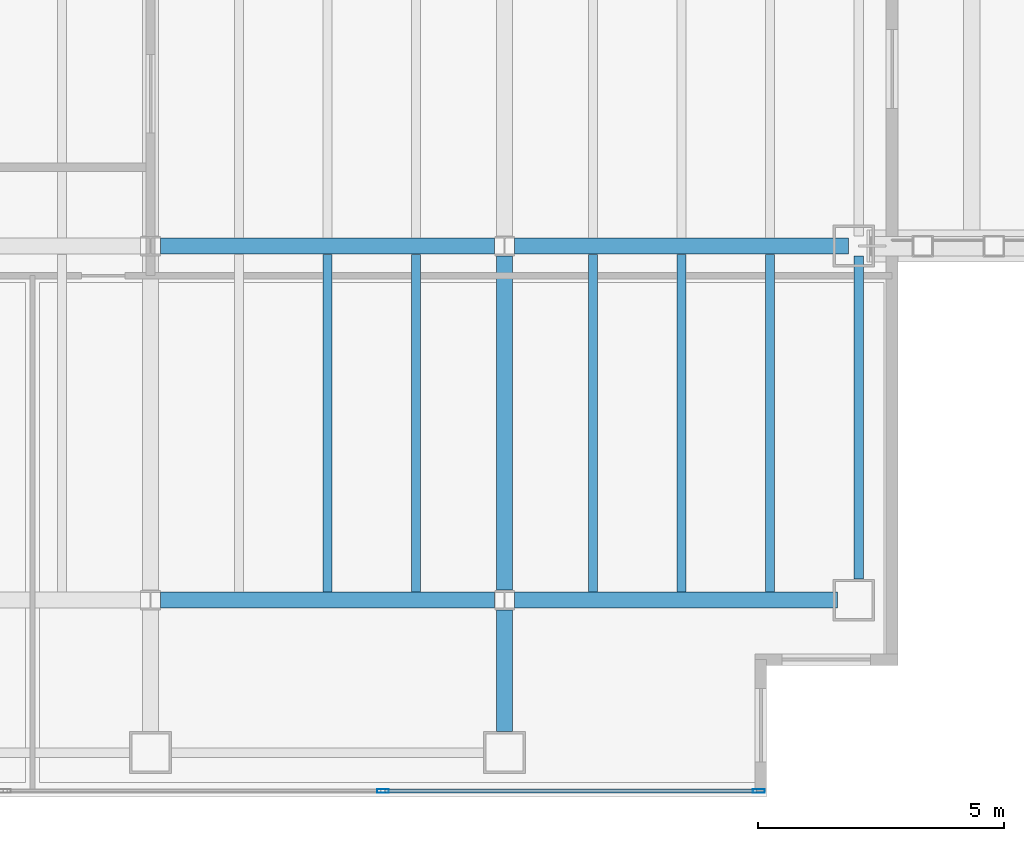
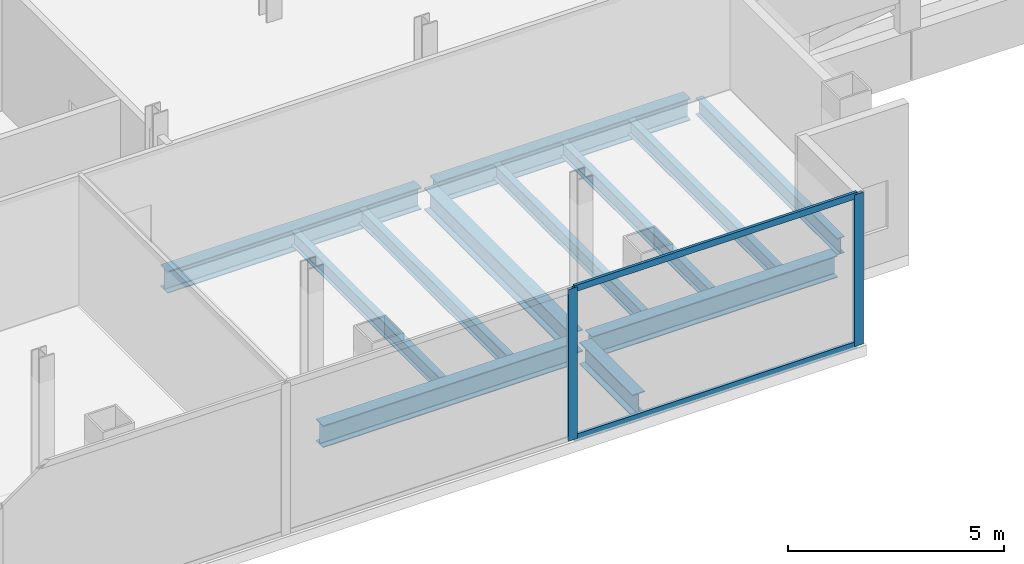
# One storey, part 8 of 20: 12 beams, 4 members, 1 element without a shape of its own.
"""IFC4 building model written with IfcOpenShell, lengths in metres."""

from ifc_helpers import new_model, si_unit, direction, frame, origin, origin_2d, place, context, subcontext, project, spatial, hollow_rectangle, i_section, extrude, material, material_profile, profile_set, type_object, element, aggregate, save


model = new_model("IFC4")

# Units and contexts
model_context = context("Model", 3, precision=1e-05, world=origin(), true_north=direction((0.0, 1.0)))
body_context = subcontext(model_context, "Body", "Model", "MODEL_VIEW")
ifc_project = project(units=[si_unit("LENGTHUNIT", "METRE"), si_unit("AREAUNIT", "SQUARE_METRE"), si_unit("VOLUMEUNIT", "CUBIC_METRE"), si_unit("PLANEANGLEUNIT", "RADIAN"), si_unit("MASSUNIT", "GRAM", prefix="KILO")], contexts=[model_context])

# Site, building, storey
site_placement = place(None, origin())
site = spatial("IfcSite", under=ifc_project, at=site_placement, CompositionType="ELEMENT")
building_placement = place(site_placement, origin())
building = spatial("IfcBuilding", under=site, at=building_placement, Name="Cobrela Telecom Tower", CompositionType="ELEMENT")
storey_placement = place(building_placement, frame((0.0, 0.0, 168.699951171875)))
storey = spatial("IfcBuildingStorey", under=building, at=storey_placement, Name="L42", CompositionType="ELEMENT", Elevation=168.699951171875)

# Beams
ifc_material_1 = material(Name="Steel ASTM A992 Grade 50", Category="steel")
ifc_material_profile_1 = material_profile(ifc_material_1, i_section(OverallWidth=0.327880859375, OverallDepth=0.6220703125, WebThickness=0.015380859375, FlangeThickness=0.0244140625, FilletRadius=0.014892578125, at=origin_2d()), Name="W24X131")
ifc_profile_set_1 = profile_set([ifc_material_profile_1], Name="Steel ASTM A992 Grade 50")
beam_type_1 = type_object("IfcBeamType", Name="BM-GIRD-06", PredefinedType="USERDEFINED", material=ifc_profile_set_1)
beam_1_placement = place(storey_placement, frame((29.00439453125, 7.199951171875, -0.61083984375), z_axis=(1.0, 0.0, 0.0), x_axis=(0.0, 1.0, 0.0)))
element("IfcBeam", 1, at=beam_1_placement, inside=storey, type_object=beam_type_1, Name="L42 Primary Girder X09", ObjectType="GIRDER", PredefinedType="USERDEFINED", context=body_context, shape_type="SweptSolid", body=[
    extrude(i_section(OverallWidth=0.327880859375, OverallDepth=0.6220703125, WebThickness=0.015380859375, FlangeThickness=0.0244140625, FilletRadius=0.014892578125, at=origin_2d()), origin(), (0.0, 0.0, 1.0), 6.791015625),
])
beam_2_placement = place(storey_placement, frame((36.20458984375, 7.199951171875, -0.61083984375), z_axis=(1.0, 0.0, 0.0), x_axis=(0.0, 1.0, 0.0)))
element("IfcBeam", 2, at=beam_2_placement, inside=storey, type_object=beam_type_1, Name="L42 Primary Girder X10", ObjectType="GIRDER", PredefinedType="USERDEFINED", context=body_context, shape_type="SweptSolid", body=[
    extrude(i_section(OverallWidth=0.327880859375, OverallDepth=0.6220703125, WebThickness=0.015380859375, FlangeThickness=0.0244140625, FilletRadius=0.014892578125, at=origin_2d()), origin(), (0.0, 0.0, 1.0), 6.5654296875),
])
for number, where, z_axis, x_axis, name in (
    (3, (29.00439453125, 14.39990234375, -0.61083984375), (1.0, 0.0, 0.0), (0.0, 1.0, 0.0), "L42 Primary Girder X13"),
    (4, (36.20458984375, 14.39990234375, -0.61083984375), (1.0, 0.0, 0.0), (0.0, 1.0, 0.0), "L42 Primary Girder X14"),
):
    element("IfcBeam", number, at=place(storey_placement, frame(where, z_axis=z_axis, x_axis=x_axis)), inside=storey, type_object=beam_type_1, Name=name, ObjectType="GIRDER", PredefinedType="USERDEFINED", context=body_context, shape_type="SweptSolid", body=[
        extrude(i_section(OverallWidth=0.327880859375, OverallDepth=0.6220703125, WebThickness=0.015380859375, FlangeThickness=0.0244140625, FilletRadius=0.014892578125, at=origin_2d()), origin(), (0.0, 0.0, 1.0), 6.791015625),
    ])
beam_3_placement = place(storey_placement, frame((36.0, 4.530029296875, -0.61083984375), z_axis=(0.0, 1.0, 0.0), x_axis=(-1.0, 0.0, 0.0)))
element("IfcBeam", 5, at=beam_3_placement, inside=storey, type_object=beam_type_1, Name="L42 Primary Girder Y38", ObjectType="GIRDER", PredefinedType="USERDEFINED", context=body_context, shape_type="SweptSolid", body=[
    extrude(i_section(OverallWidth=0.327880859375, OverallDepth=0.6220703125, WebThickness=0.015380859375, FlangeThickness=0.0244140625, FilletRadius=0.014892578125, at=origin_2d()), origin(), (0.0, 0.0, 1.0), 2.465576171875),
])
beam_4_placement = place(storey_placement, frame((36.0, 7.404541015625, -0.61083984375), z_axis=(0.0, 1.0, 0.0), x_axis=(-1.0, 0.0, 0.0)))
element("IfcBeam", 6, at=beam_4_placement, inside=storey, type_object=beam_type_1, Name="L42 Primary Girder Y39", ObjectType="GIRDER", PredefinedType="USERDEFINED", context=body_context, shape_type="SweptSolid", body=[
    extrude(i_section(OverallWidth=0.327880859375, OverallDepth=0.6220703125, WebThickness=0.015380859375, FlangeThickness=0.0244140625, FilletRadius=0.014892578125, at=origin_2d()), origin(), (0.0, 0.0, 1.0), 6.791015625),
])
ifc_material_profile_2 = material_profile(ifc_material_1, i_section(OverallWidth=0.179931640625, OverallDepth=0.4169921875, WebThickness=0.010986328125, FlangeThickness=0.01806640625, FilletRadius=0.011962890625, at=origin_2d()), Name="W16X57")
ifc_profile_set_2 = profile_set([ifc_material_profile_2], Name="Steel ASTM A992 Grade 50")
beam_type_2 = type_object("IfcBeamType", Name="BM-JOIST-04", PredefinedType="JOIST", material=ifc_profile_set_2)
for number, where, z_axis, x_axis, name in (
    (7, (32.39990234375, 7.368896484375, -0.508544921875), (0.0, 1.0, 0.0), (-1.0, 0.0, 0.0), "L42 Secondary Composite Floor Beam J24"),
    (8, (34.199951171875, 7.368896484375, -0.508544921875), (0.0, 1.0, 0.0), (-1.0, 0.0, 0.0), "L42 Secondary Composite Floor Beam J26"),
    (9, (37.800048828125, 7.368896484375, -0.508544921875), (0.0, 1.0, 0.0), (-1.0, 0.0, 0.0), "L42 Secondary Composite Floor Beam J28"),
    (10, (39.60009765625, 7.368896484375, -0.508544921875), (0.0, 1.0, 0.0), (-1.0, 0.0, 0.0), "L42 Secondary Composite Floor Beam J30"),
    (11, (41.39990234375, 7.368896484375, -0.508544921875), (0.0, 1.0, 0.0), (-1.0, 0.0, 0.0), "L42 Secondary Composite Floor Beam J32"),
):
    element("IfcBeam", number, at=place(storey_placement, frame(where, z_axis=z_axis, x_axis=x_axis)), inside=storey, type_object=beam_type_2, Name=name, PredefinedType="JOIST", context=body_context, shape_type="SweptSolid", body=[
        extrude(i_section(OverallWidth=0.179931640625, OverallDepth=0.4169921875, WebThickness=0.010986328125, FlangeThickness=0.01806640625, FilletRadius=0.011962890625, at=origin_2d()), origin(), (0.0, 0.0, 1.0), 6.862060546875),
    ])
ifc_material_profile_3 = material_profile(ifc_material_1, i_section(OverallWidth=0.193115234375, OverallDepth=0.467041015625, WebThickness=0.011474609375, FlangeThickness=0.01904296875, FilletRadius=0.012939453125, at=origin_2d()), Name="W18X65")
ifc_profile_set_3 = profile_set([ifc_material_profile_3], Name="Steel ASTM A992 Grade 50")
beam_type_3 = type_object("IfcBeamType", Name="BM-SPAND-05", PredefinedType="SPANDREL", material=ifc_profile_set_3)
beam_5_placement = place(storey_placement, frame((43.199951171875, 7.6298828125, -0.533447265625), z_axis=(0.0, 1.0, 0.0), x_axis=(-1.0, 0.0, 0.0)))
element("IfcBeam", 12, at=beam_5_placement, inside=storey, type_object=beam_type_3, Name="L42 Perimeter Spandrel Y41", PredefinedType="SPANDREL", context=body_context, shape_type="SweptSolid", body=[
    extrude(i_section(OverallWidth=0.193115234375, OverallDepth=0.467041015625, WebThickness=0.011474609375, FlangeThickness=0.01904296875, FilletRadius=0.012939453125, at=origin_2d()), origin(), (0.0, 0.0, 1.0), 6.565673828125),
])

# Curtain wall, members
ifc_material_2 = material(Name="Anodized Bronze Aluminium 6063-T6", Category="aluminium")
curtain_wall_type = type_object("IfcCurtainWallType", Name="CW-SYS-SKY", PredefinedType="USERDEFINED", material=ifc_material_2)
curtain_wall_placement = place(storey_placement, origin())
curtain_wall = element("IfcCurtainWall", 13, at=curtain_wall_placement, inside=storey, type_object=curtain_wall_type, Name="L42 Unitised Bronze Curtain Wall 17", ObjectType="UNITISED CURTAIN WALL", PredefinedType="USERDEFINED")
ifc_material_profile_4 = material_profile(ifc_material_2, hollow_rectangle(XDim=0.080078125, YDim=0.239990234375, WallThickness=0.0048828125, at=origin_2d()), Name="ALU 80x240x5")
ifc_profile_set_4 = profile_set([ifc_material_profile_4], Name="Anodized Bronze Aluminium 6063-T6")
member_type_1 = type_object("IfcMemberType", Name="CW-SYS-SKY-MUL", PredefinedType="MULLION", material=ifc_profile_set_4)
member_1_placement = place(storey_placement, frame((41.169921875, 3.320068359375, 0.0), z_axis=(0.0, 0.0, 1.0), x_axis=(0.0, -1.0, 0.0)))
member_1 = element("IfcMember", 14, at=member_1_placement, type_object=member_type_1, Name="CW-SKY mullion 1", PredefinedType="MULLION", context=body_context, shape_type="SweptSolid", body=[
    extrude(hollow_rectangle(XDim=0.080078125, YDim=0.239990234375, WallThickness=0.0048828125, at=origin_2d()), origin(), (0.0, 0.0, 1.0), 4.2900390625),
])
member_2_placement = place(storey_placement, frame((33.52587890625, 3.320068359375, 0.0), z_axis=(0.0, 0.0, 1.0), x_axis=(0.0, -1.0, 0.0)))
member_2 = element("IfcMember", 15, at=member_2_placement, type_object=member_type_1, Name="CW-SKY mullion 2", PredefinedType="MULLION", context=body_context, shape_type="SweptSolid", body=[
    extrude(hollow_rectangle(XDim=0.080078125, YDim=0.239990234375, WallThickness=0.0048828125, at=origin_2d()), origin(), (0.0, 0.0, 1.0), 4.2900390625),
])
ifc_material_profile_5 = material_profile(ifc_material_2, hollow_rectangle(XDim=0.074951171875, YDim=0.179931640625, WallThickness=0.00390625, at=origin_2d()), Name="ALU 75x180x4")
ifc_profile_set_5 = profile_set([ifc_material_profile_5], Name="Anodized Bronze Aluminium 6063-T6")
member_type_2 = type_object("IfcMemberType", Name="CW-SYS-SKY-TRN", PredefinedType="USERDEFINED", material=ifc_profile_set_5)
member_3_placement = place(storey_placement, frame((41.1298828125, 3.320068359375, 0.03759765625), z_axis=(-1.0, 0.0, 0.0), x_axis=(0.0, -1.0, 0.0)))
member_3 = element("IfcMember", 16, at=member_3_placement, type_object=member_type_2, Name="CW-SKY transom 1.1", ObjectType="TRANSOM", PredefinedType="USERDEFINED", context=body_context, shape_type="SweptSolid", body=[
    extrude(hollow_rectangle(XDim=0.074951171875, YDim=0.179931640625, WallThickness=0.00390625, at=origin_2d()), origin(), (0.0, 0.0, 1.0), 7.56396484375),
])
member_4_placement = place(storey_placement, frame((41.1298828125, 3.320068359375, 4.25244140625), z_axis=(-1.0, 0.0, 0.0), x_axis=(0.0, -1.0, 0.0)))
member_4 = element("IfcMember", 17, at=member_4_placement, type_object=member_type_2, Name="CW-SKY transom 1.2", ObjectType="TRANSOM", PredefinedType="USERDEFINED", context=body_context, shape_type="SweptSolid", body=[
    extrude(hollow_rectangle(XDim=0.074951171875, YDim=0.179931640625, WallThickness=0.00390625, at=origin_2d()), origin(), (0.0, 0.0, 1.0), 7.56396484375),
])
aggregate(curtain_wall, [member_1, member_2, member_3, member_4])

save(model, "model.ifc")
